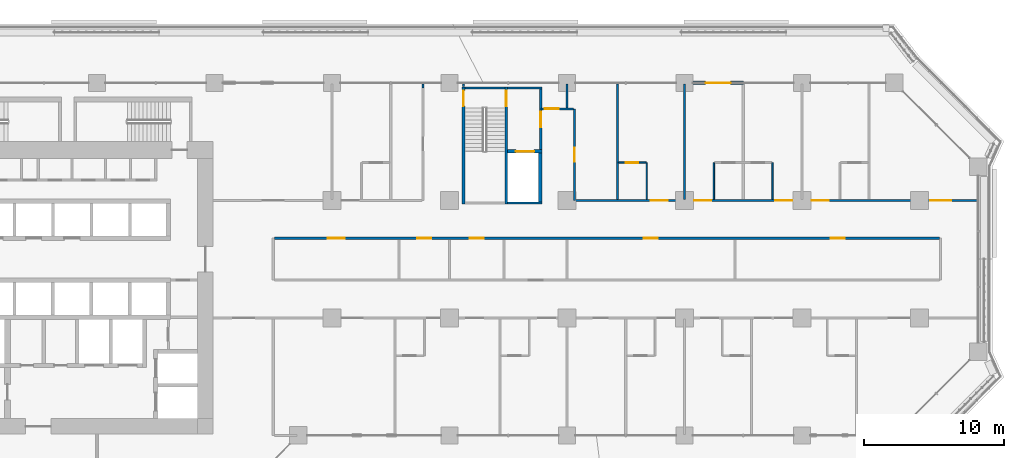
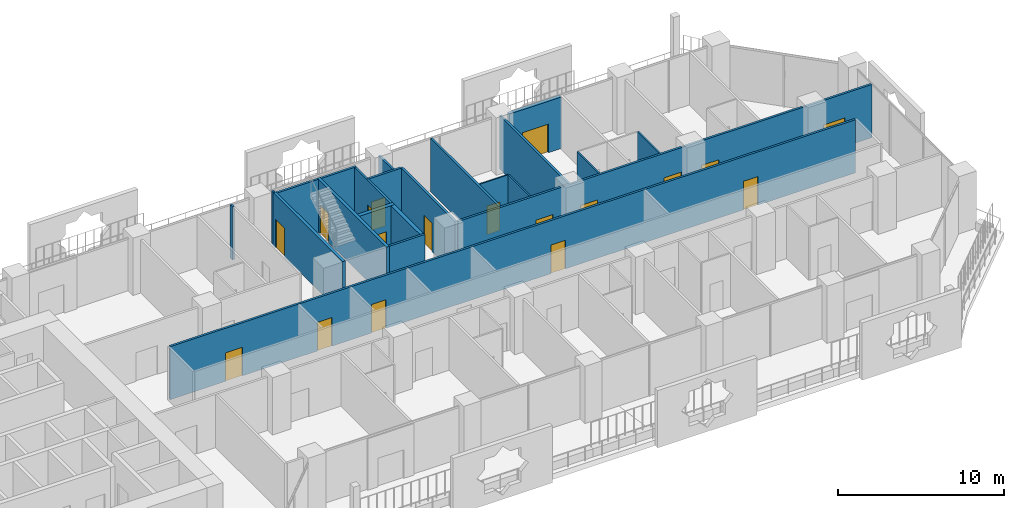
# One storey, part 18 of 28: 22 walls, 18 doors, 18 openings.
"""IFC4 building model written with IfcOpenShell, lengths in metres."""

from ifc_helpers import new_model, si_unit, direction, frame, frame_2d, origin, place, context, subcontext, project, spatial, rectangle, extrude, material, layer, layer_set, type_object, element, fill, save


model = new_model("IFC4")

# Units and contexts
model_context = context("Model", 3, precision=1e-05, world=origin(), true_north=direction((0.0, 1.0)))
body_context = subcontext(model_context, "Body", "Model", "MODEL_VIEW")
ifc_project = project(units=[si_unit("LENGTHUNIT", "METRE"), si_unit("AREAUNIT", "SQUARE_METRE"), si_unit("VOLUMEUNIT", "CUBIC_METRE"), si_unit("PLANEANGLEUNIT", "RADIAN"), si_unit("MASSUNIT", "GRAM", prefix="KILO")], contexts=[model_context])

# Site, building, storey
site_placement = place(None, origin())
site = spatial("IfcSite", under=ifc_project, at=site_placement, CompositionType="ELEMENT")
building_placement = place(site_placement, origin())
building = spatial("IfcBuilding", under=site, at=building_placement, Name="Kawkab Arch Medical Tower", CompositionType="ELEMENT")
storey_placement = place(building_placement, frame((0.0, 0.0, 68.60009765625)))
storey = spatial("IfcBuildingStorey", under=building, at=storey_placement, Name="L15", CompositionType="ELEMENT", Elevation=68.60009765625)

# Wall, opening, door
ifc_material_1 = material(Name="Gypsum board on steel studs", Category="steel")
ifc_layer_1 = layer(ifc_material_1, 0.14990234375)
ifc_layer_set_1 = layer_set([ifc_layer_1], Name="Gypsum board on steel studs")
wall_type_1 = type_object("IfcWallType", Name="Core room partition 150", PredefinedType="PARTITIONING", material=ifc_layer_set_1)
wall_1_placement = place(storey_placement, frame((48.52490234375, -4.77490234375, 0.0), z_axis=(0.0, 0.0, 1.0), x_axis=(0.0, 1.0, 0.0)))
wall_1 = element("IfcWall", 1, at=wall_1_placement, inside=storey, type_object=wall_type_1, Name="L15 core room partition", PredefinedType="PARTITIONING", context=body_context, shape_type="SweptSolid", body=[
    extrude(rectangle(XDim=4.324951171875, YDim=0.14990234375, at=frame_2d((2.16259765625, 0.0))), origin(), (0.0, 0.0, 1.0), 3.89990234375),
])
opening_1_placement = place(wall_1_placement, frame((1.625, 0.0, 0.0)))
opening_1 = element("IfcOpeningElement", 2, at=opening_1_placement, cuts=wall_1, Name="Opening FD", PredefinedType="OPENING", context=body_context, shape_type="SweptSolid", body=[
    extrude(rectangle(XDim=1.10009765625, YDim=2.10009765625, at=frame_2d((0.550048828125, 1.050048828125))), frame((0.0, 0.0849609375, 0.0), z_axis=(0.0, -1.0, 0.0), x_axis=(1.0, 0.0, 0.0)), (0.0, 0.0, 1.0), 0.169921875),
])
ifc_material_2 = material(Name="Hollow metal fire door leaf")
door_type_1 = type_object("IfcDoorType", Name="Firefighting lobby door 1100", OperationType="SINGLE_SWING_LEFT", PredefinedType="DOOR", material=ifc_material_2)
door_1_placement = place(opening_1_placement, origin())
door_1 = element("IfcDoor", 3, at=door_1_placement, inside=storey, type_object=door_type_1, Name="L15 Service lift lobby door SV1", OperationType="SINGLE_SWING_LEFT", OverallHeight=2.10009765625, OverallWidth=1.10009765625, PredefinedType="DOOR", context=body_context, shape_type="SweptSolid", body=[
    extrude(rectangle(XDim=1.10009765625, YDim=2.10009765625, at=frame_2d((0.550048828125, 1.050048828125))), frame((0.0, 0.02490234375, 0.0), z_axis=(0.0, -1.0, 0.0), x_axis=(1.0, 0.0, 0.0)), (0.0, 0.0, 1.0), 0.050048828125),
])
fill(opening_1, door_1)

ifc_material_3 = material(Name="Concrete C60/75", Category="concrete")
ifc_layer_2 = layer(ifc_material_3, 0.25)
ifc_layer_set_2 = layer_set([ifc_layer_2], Name="Concrete C60/75")
wall_type_2 = type_object("IfcWallType", Name="Core shear wall 250 C60/75", PredefinedType="SHEAR", material=ifc_layer_set_2)
wall_2_placement = place(storey_placement, frame((46.14990234375, -4.89990234375, 0.0), z_axis=(0.0, 0.0, 1.0), x_axis=(1.0, 0.0, 0.0)))
wall_2 = element("IfcWall", 4, at=wall_2_placement, inside=storey, type_object=wall_type_2, Name="L15 core shear wall", PredefinedType="SHEAR", context=body_context, shape_type="SweptSolid", body=[
    extrude(rectangle(XDim=2.4501953125, YDim=0.25, at=frame_2d((1.22509765625, 0.0))), origin(), (0.0, 0.0, 1.0), 3.89990234375),
])
opening_2_placement = place(wall_2_placement, frame((0.60009765625, 0.0, 0.0)))
opening_2 = element("IfcOpeningElement", 5, at=opening_2_placement, cuts=wall_2, Name="Opening LD2", PredefinedType="OPENING", context=body_context, shape_type="SweptSolid", body=[
    extrude(rectangle(XDim=1.300048828125, YDim=2.10009765625, at=frame_2d((0.64990234375, 1.050048828125))), frame((0.0, 0.135009765625, 0.0), z_axis=(0.0, -1.0, 0.0), x_axis=(1.0, 0.0, 0.0)), (0.0, 0.0, 1.0), 0.27001953125),
])
ifc_material_4 = material(Name="Stainless steel lift door leaf", Category="steel")
door_type_2 = type_object("IfcDoorType", Name="Lift landing door 1300", OperationType="DOUBLE_DOOR_SLIDING", PredefinedType="DOOR", material=ifc_material_4)
door_2_placement = place(opening_2_placement, origin())
door_2 = element("IfcDoor", 6, at=door_2_placement, inside=storey, type_object=door_type_2, Name="L15 Lift landing door SV1", OperationType="DOUBLE_DOOR_SLIDING", OverallHeight=2.10009765625, OverallWidth=1.300048828125, PredefinedType="DOOR", context=body_context, shape_type="SweptSolid", body=[
    extrude(rectangle(XDim=1.300048828125, YDim=2.10009765625, at=frame_2d((0.64990234375, 1.050048828125))), frame((0.0, 0.02490234375, 0.0), z_axis=(0.0, -1.0, 0.0), x_axis=(1.0, 0.0, 0.0)), (0.0, 0.0, 1.0), 0.050048828125),
])
fill(opening_2, door_2)

# Wall
wall_3_placement = place(storey_placement, frame((48.47509765625, -8.5, 0.0), z_axis=(0.0, 0.0, 1.0), x_axis=(0.0, 1.0, 0.0)))
element("IfcWall", 7, at=wall_3_placement, inside=storey, type_object=wall_type_2, Name="L15 core shear wall", PredefinedType="SHEAR", context=body_context, shape_type="SweptSolid", body=[
    extrude(rectangle(XDim=3.47509765625, YDim=0.25, at=frame_2d((1.737548828125, 0.0))), origin(), (0.0, 0.0, 1.0), 3.89990234375),
])

# Wall, opening, door
ifc_material_5 = material(Name="Bronze clad insulated wall panel")
ifc_layer_3 = layer(ifc_material_5, 0.25)
ifc_layer_set_3 = layer_set([ifc_layer_3], Name="Bronze clad insulated wall panel")
wall_type_3 = type_object("IfcWallType", Name="External wall bay 250", PredefinedType="SOLIDWALL", material=ifc_layer_set_3)
wall_4_placement = place(storey_placement, frame((63.0, 0.0, 0.0), z_axis=(0.0, 0.0, 1.0), x_axis=(-1.0, 0.0, 0.0)))
wall_4 = element("IfcWall", 8, at=wall_4_placement, inside=storey, type_object=wall_type_3, Name="External wall bay L15.R11.2.2", PredefinedType="SOLIDWALL", context=body_context, shape_type="SweptSolid", body=[
    extrude(rectangle(XDim=3.60009765625, YDim=0.25, at=frame_2d((1.800048828125, 0.0))), origin(), (0.0, 0.0, 1.0), 3.77978515625),
])
opening_3_placement = place(wall_4_placement, frame((0.89990234375, 0.0, 0.0)))
opening_3 = element("IfcOpeningElement", 9, at=opening_3_placement, cuts=wall_4, Name="Opening W15A-702", PredefinedType="OPENING", context=body_context, shape_type="SweptSolid", body=[
    extrude(rectangle(XDim=1.800048828125, YDim=2.10009765625, at=frame_2d((0.89990234375, 1.050048828125))), frame((0.0, 0.135009765625, 0.0), z_axis=(0.0, -1.0, 0.0), x_axis=(1.0, 0.0, 0.0)), (0.0, 0.0, 1.0), 0.27001953125),
])
ifc_material_6 = material(Name="Bronze anodised aluminium door with tinted glass", Category="aluminium")
door_type_3 = type_object("IfcDoorType", Name="Double external door 1800 x 2100", OperationType="DOUBLE_DOOR_SINGLE_SWING", PredefinedType="DOOR", material=ifc_material_6)
door_3_placement = place(opening_3_placement, origin())
door_3 = element("IfcDoor", 10, at=door_3_placement, inside=storey, type_object=door_type_3, Name="External door L15.R11.2.2", OperationType="DOUBLE_DOOR_SINGLE_SWING", OverallHeight=2.10009765625, OverallWidth=1.800048828125, PredefinedType="DOOR", context=body_context, shape_type="SweptSolid", body=[
    extrude(rectangle(XDim=1.800048828125, YDim=2.10009765625, at=frame_2d((0.89990234375, 1.050048828125))), frame((0.0, 0.02490234375, 0.0), z_axis=(0.0, -1.0, 0.0), x_axis=(1.0, 0.0, 0.0)), (0.0, 0.0, 1.0), 0.050048828125),
])
fill(opening_3, door_3)

ifc_material_7 = material(Name="Gypsum board partition on steel studs", Category="steel")
ifc_layer_4 = layer(ifc_material_7, 0.10009765625)
ifc_layer_set_4 = layer_set([ifc_layer_4], Name="Gypsum board partition on steel studs")
wall_type_4 = type_object("IfcWallType", Name="Partition 100", PredefinedType="PARTITIONING", material=ifc_layer_set_4)
wall_5_placement = place(storey_placement, frame((54.074951171875, -5.699951171875, 0.0), z_axis=(0.0, 0.0, 1.0), x_axis=(1.0, 0.0, 0.0)))
wall_5 = element("IfcWall", 11, at=wall_5_placement, inside=storey, type_object=wall_type_4, Name="Partition 100 w015", PredefinedType="PARTITIONING", context=body_context, shape_type="SweptSolid", body=[
    extrude(rectangle(XDim=1.97509765625, YDim=0.10009765625, at=frame_2d((0.987548828125, 0.0))), origin(), (0.0, 0.0, 1.0), 3.89990234375),
])
opening_4_placement = place(wall_5_placement, frame((0.52490234375, 0.0, 0.0)))
opening_4 = element("IfcOpeningElement", 12, at=opening_4_placement, cuts=wall_5, Name="Opening W15A-010", PredefinedType="OPENING", context=body_context, shape_type="SweptSolid", body=[
    extrude(rectangle(XDim=0.89990234375, YDim=2.10009765625, at=frame_2d((0.449951171875, 1.050048828125))), frame((0.0, 0.06005859375, 0.0), z_axis=(0.0, -1.0, 0.0), x_axis=(1.0, 0.0, 0.0)), (0.0, 0.0, 1.0), 0.1201171875),
])
ifc_material_8 = material(Name="Timber door leaf", Category="wood")
door_type_4 = type_object("IfcDoorType", Name="Single door 900x2100", OperationType="NOTDEFINED", PredefinedType="DOOR", material=ifc_material_8)
door_4_placement = place(opening_4_placement, origin())
door_4 = element("IfcDoor", 13, at=door_4_placement, inside=storey, type_object=door_type_4, Name="Door W15A-010", OperationType="SINGLE_SWING_RIGHT", OverallHeight=2.10009765625, OverallWidth=0.89990234375, PredefinedType="DOOR", context=body_context, shape_type="SweptSolid", body=[
    extrude(rectangle(XDim=0.89990234375, YDim=2.10009765625, at=frame_2d((0.449951171875, 1.050048828125))), frame((0.0, 0.02490234375, 0.0), z_axis=(0.0, -1.0, 0.0), x_axis=(1.0, 0.0, 0.0)), (0.0, 0.0, 1.0), 0.050048828125),
])
fill(opening_4, door_4)

# Walls
for number, where, z_axis, x_axis, name in (
    (14, (56.10009765625, -8.324951171875, 0.0), (0.0, 0.0, 1.0), (0.0, 1.0, 0.0), "Partition 100 w029"),
    (15, (60.89990234375, -8.324951171875, 0.0), (0.0, 0.0, 1.0), (0.0, 1.0, 0.0), "Partition 100 w031"),
    (16, (65.10009765625, -8.324951171875, 0.0), (0.0, 0.0, 1.0), (0.0, 1.0, 0.0), "Partition 100 w033"),
):
    element("IfcWall", number, at=place(storey_placement, frame(where, z_axis=z_axis, x_axis=x_axis)), inside=storey, type_object=wall_type_4, Name=name, PredefinedType="PARTITIONING", context=body_context, shape_type="SweptSolid", body=[
        extrude(rectangle(XDim=2.625, YDim=0.10009765625, at=frame_2d((1.3125, 0.0))), origin(), (0.0, 0.0, 1.0), 3.89990234375),
    ])

# Wall, openings, doors
ifc_material_9 = material(Name="Gypsum board partition on steel studs, mineral wool", Category="steel")
ifc_layer_5 = layer(ifc_material_9, 0.14990234375)
ifc_layer_set_5 = layer_set([ifc_layer_5], Name="Gypsum board partition on steel studs, mineral wool")
wall_type_5 = type_object("IfcWallType", Name="Partition 150", PredefinedType="PARTITIONING", material=ifc_layer_set_5)
wall_6_placement = place(storey_placement, frame((29.47509765625, -11.10009765625, 0.0), z_axis=(0.0, 0.0, 1.0), x_axis=(1.0, 0.0, 0.0)))
wall_6 = element("IfcWall", 17, at=wall_6_placement, inside=storey, type_object=wall_type_5, Name="Partition 150 w059", PredefinedType="PARTITIONING", context=body_context, shape_type="SweptSolid", body=[
    extrude(rectangle(XDim=47.5498046875, YDim=0.14990234375, at=frame_2d((23.77490234375, 0.0))), origin(), (0.0, 0.0, 1.0), 3.89990234375),
])
opening_5_placement = place(wall_6_placement, frame((3.824951171875, 0.0, 0.0)))
opening_5 = element("IfcOpeningElement", 18, at=opening_5_placement, cuts=wall_6, Name="Opening W15A-050", PredefinedType="OPENING", context=body_context, shape_type="SweptSolid", body=[
    extrude(rectangle(XDim=1.199951171875, YDim=2.10009765625, at=frame_2d((0.60009765625, 1.050048828125))), frame((0.0, 0.0849609375, 0.0), z_axis=(0.0, -1.0, 0.0), x_axis=(1.0, 0.0, 0.0)), (0.0, 0.0, 1.0), 0.169921875),
])
opening_6_placement = place(wall_6_placement, frame((10.22509765625, 0.0, 0.0)))
opening_6 = element("IfcOpeningElement", 19, at=opening_6_placement, cuts=wall_6, Name="Opening W15A-033", PredefinedType="OPENING", context=body_context, shape_type="SweptSolid", body=[
    extrude(rectangle(XDim=1.0, YDim=2.10009765625, at=frame_2d((0.5, 1.050048828125))), frame((0.0, 0.0849609375, 0.0), z_axis=(0.0, -1.0, 0.0), x_axis=(1.0, 0.0, 0.0)), (0.0, 0.0, 1.0), 0.169921875),
])
opening_7_placement = place(wall_6_placement, frame((13.97509765625, 0.0, 0.0)))
opening_7 = element("IfcOpeningElement", 20, at=opening_7_placement, cuts=wall_6, Name="Opening W15A-029", PredefinedType="OPENING", context=body_context, shape_type="SweptSolid", body=[
    extrude(rectangle(XDim=1.0, YDim=2.10009765625, at=frame_2d((0.5, 1.050048828125))), frame((0.0, 0.0849609375, 0.0), z_axis=(0.0, -1.0, 0.0), x_axis=(1.0, 0.0, 0.0)), (0.0, 0.0, 1.0), 0.169921875),
])
opening_8_placement = place(wall_6_placement, frame((26.425048828125, 0.0, 0.0)))
opening_8 = element("IfcOpeningElement", 21, at=opening_8_placement, cuts=wall_6, Name="Opening W15A-035", PredefinedType="OPENING", context=body_context, shape_type="SweptSolid", body=[
    extrude(rectangle(XDim=1.0, YDim=2.10009765625, at=frame_2d((0.5, 1.050048828125))), frame((0.0, 0.0849609375, 0.0), z_axis=(0.0, -1.0, 0.0), x_axis=(1.0, 0.0, 0.0)), (0.0, 0.0, 1.0), 0.169921875),
])
opening_9_placement = place(wall_6_placement, frame((39.77490234375, 0.0, 0.0)))
opening_9 = element("IfcOpeningElement", 22, at=opening_9_placement, cuts=wall_6, Name="Opening W15A-036", PredefinedType="OPENING", context=body_context, shape_type="SweptSolid", body=[
    extrude(rectangle(XDim=1.0, YDim=2.10009765625, at=frame_2d((0.5, 1.050048828125))), frame((0.0, 0.0849609375, 0.0), z_axis=(0.0, -1.0, 0.0), x_axis=(1.0, 0.0, 0.0)), (0.0, 0.0, 1.0), 0.169921875),
])
ifc_material_10 = material(Name="Timber door leaf", Category="wood")
door_type_5 = type_object("IfcDoorType", Name="Single door 1000x2100", OperationType="NOTDEFINED", PredefinedType="DOOR", material=ifc_material_10)
door_5_placement = place(opening_7_placement, origin())
door_5 = element("IfcDoor", 23, at=door_5_placement, inside=storey, type_object=door_type_5, Name="Door W15A-029", OperationType="SINGLE_SWING_RIGHT", OverallHeight=2.10009765625, OverallWidth=1.0, PredefinedType="DOOR", context=body_context, shape_type="SweptSolid", body=[
    extrude(rectangle(XDim=1.0, YDim=2.10009765625, at=frame_2d((0.5, 1.050048828125))), frame((0.0, 0.02490234375, 0.0), z_axis=(0.0, -1.0, 0.0), x_axis=(1.0, 0.0, 0.0)), (0.0, 0.0, 1.0), 0.050048828125),
])
fill(opening_7, door_5)
ifc_material_11 = material(Name="Hollow metal door leaf")
door_type_6 = type_object("IfcDoorType", Name="Single door 1000x2100 FD30S", OperationType="NOTDEFINED", PredefinedType="DOOR", material=ifc_material_11)
door_6_placement = place(opening_6_placement, origin())
door_6 = element("IfcDoor", 24, at=door_6_placement, inside=storey, type_object=door_type_6, Name="Door W15A-033", OperationType="SINGLE_SWING_RIGHT", OverallHeight=2.10009765625, OverallWidth=1.0, PredefinedType="DOOR", context=body_context, shape_type="SweptSolid", body=[
    extrude(rectangle(XDim=1.0, YDim=2.10009765625, at=frame_2d((0.5, 1.050048828125))), frame((0.0, 0.02490234375, 0.0), z_axis=(0.0, -1.0, 0.0), x_axis=(1.0, 0.0, 0.0)), (0.0, 0.0, 1.0), 0.050048828125),
])
fill(opening_6, door_6)
door_7_placement = place(opening_8_placement, origin())
door_7 = element("IfcDoor", 25, at=door_7_placement, inside=storey, type_object=door_type_6, Name="Door W15A-035", OperationType="SINGLE_SWING_LEFT", OverallHeight=2.10009765625, OverallWidth=1.0, PredefinedType="DOOR", context=body_context, shape_type="SweptSolid", body=[
    extrude(rectangle(XDim=1.0, YDim=2.10009765625, at=frame_2d((0.5, 1.050048828125))), frame((0.0, 0.02490234375, 0.0), z_axis=(0.0, -1.0, 0.0), x_axis=(1.0, 0.0, 0.0)), (0.0, 0.0, 1.0), 0.050048828125),
])
fill(opening_8, door_7)
door_8_placement = place(opening_9_placement, origin())
door_8 = element("IfcDoor", 26, at=door_8_placement, inside=storey, type_object=door_type_6, Name="Door W15A-036", OperationType="SINGLE_SWING_LEFT", OverallHeight=2.10009765625, OverallWidth=1.0, PredefinedType="DOOR", context=body_context, shape_type="SweptSolid", body=[
    extrude(rectangle(XDim=1.0, YDim=2.10009765625, at=frame_2d((0.5, 1.050048828125))), frame((0.0, 0.02490234375, 0.0), z_axis=(0.0, -1.0, 0.0), x_axis=(1.0, 0.0, 0.0)), (0.0, 0.0, 1.0), 0.050048828125),
])
fill(opening_9, door_8)
ifc_material_12 = material(Name="Hollow metal door leaf")
door_type_7 = type_object("IfcDoorType", Name="Single door 1200x2100 FD30S", OperationType="NOTDEFINED", PredefinedType="DOOR", material=ifc_material_12)
door_9_placement = place(opening_5_placement, origin())
door_9 = element("IfcDoor", 27, at=door_9_placement, inside=storey, type_object=door_type_7, Name="Door W15A-050", OperationType="SINGLE_SWING_RIGHT", OverallHeight=2.10009765625, OverallWidth=1.199951171875, PredefinedType="DOOR", context=body_context, shape_type="SweptSolid", body=[
    extrude(rectangle(XDim=1.199951171875, YDim=2.10009765625, at=frame_2d((0.60009765625, 1.050048828125))), frame((0.0, 0.02490234375, 0.0), z_axis=(0.0, -1.0, 0.0), x_axis=(1.0, 0.0, 0.0)), (0.0, 0.0, 1.0), 0.050048828125),
])
fill(opening_5, door_9)

wall_7_placement = place(storey_placement, frame((51.0, -8.39990234375, 0.0), z_axis=(0.0, 0.0, 1.0), x_axis=(1.0, 0.0, 0.0)))
wall_7 = element("IfcWall", 28, at=wall_7_placement, inside=storey, type_object=wall_type_5, Name="Partition 150 w062", PredefinedType="PARTITIONING", context=body_context, shape_type="SweptSolid", body=[
    extrude(rectangle(XDim=28.719970703125, YDim=0.14990234375, at=frame_2d((14.35986328125, 0.0))), origin(), (0.0, 0.0, 1.0), 3.89990234375),
])
opening_10_placement = place(wall_7_placement, frame((5.39990234375, 0.0, 0.0)))
opening_10 = element("IfcOpeningElement", 29, at=opening_10_placement, cuts=wall_7, Name="Opening W15A-046", PredefinedType="OPENING", context=body_context, shape_type="SweptSolid", body=[
    extrude(rectangle(XDim=1.199951171875, YDim=2.10009765625, at=frame_2d((0.60009765625, 1.050048828125))), frame((0.0, 0.0849609375, 0.0), z_axis=(0.0, -1.0, 0.0), x_axis=(1.0, 0.0, 0.0)), (0.0, 0.0, 1.0), 0.169921875),
])
opening_11_placement = place(wall_7_placement, frame((8.5, 0.0, 0.0)))
opening_11 = element("IfcOpeningElement", 30, at=opening_11_placement, cuts=wall_7, Name="Opening W15A-047", PredefinedType="OPENING", context=body_context, shape_type="SweptSolid", body=[
    extrude(rectangle(XDim=1.199951171875, YDim=2.10009765625, at=frame_2d((0.60009765625, 1.050048828125))), frame((0.0, 0.0849609375, 0.0), z_axis=(0.0, -1.0, 0.0), x_axis=(1.0, 0.0, 0.0)), (0.0, 0.0, 1.0), 0.169921875),
])
opening_12_placement = place(wall_7_placement, frame((14.300048828125, 0.0, 0.0)))
opening_12 = element("IfcOpeningElement", 31, at=opening_12_placement, cuts=wall_7, Name="Opening W15A-048", PredefinedType="OPENING", context=body_context, shape_type="SweptSolid", body=[
    extrude(rectangle(XDim=1.199951171875, YDim=2.10009765625, at=frame_2d((0.60009765625, 1.050048828125))), frame((0.0, 0.0849609375, 0.0), z_axis=(0.0, -1.0, 0.0), x_axis=(1.0, 0.0, 0.0)), (0.0, 0.0, 1.0), 0.169921875),
])
opening_13_placement = place(wall_7_placement, frame((16.89990234375, 0.0, 0.0)))
opening_13 = element("IfcOpeningElement", 32, at=opening_13_placement, cuts=wall_7, Name="Opening W15A-049", PredefinedType="OPENING", context=body_context, shape_type="SweptSolid", body=[
    extrude(rectangle(XDim=1.199951171875, YDim=2.10009765625, at=frame_2d((0.60009765625, 1.050048828125))), frame((0.0, 0.0849609375, 0.0), z_axis=(0.0, -1.0, 0.0), x_axis=(1.0, 0.0, 0.0)), (0.0, 0.0, 1.0), 0.169921875),
])
opening_14_placement = place(wall_7_placement, frame((25.35009765625, 0.0, 0.0)))
opening_14 = element("IfcOpeningElement", 33, at=opening_14_placement, cuts=wall_7, Name="Opening W15A-003", PredefinedType="OPENING", context=body_context, shape_type="SweptSolid", body=[
    extrude(rectangle(XDim=1.5, YDim=2.10009765625, at=frame_2d((0.75, 1.050048828125))), frame((0.0, 0.0849609375, 0.0), z_axis=(0.0, -1.0, 0.0), x_axis=(1.0, 0.0, 0.0)), (0.0, 0.0, 1.0), 0.169921875),
])
ifc_material_13 = material(Name="Hollow metal door leaf")
door_type_8 = type_object("IfcDoorType", Name="Double door 1500x2100 FD30S", OperationType="NOTDEFINED", PredefinedType="DOOR", material=ifc_material_13)
door_10_placement = place(opening_14_placement, origin())
door_10 = element("IfcDoor", 34, at=door_10_placement, inside=storey, type_object=door_type_8, Name="Door W15A-003", OperationType="DOUBLE_DOOR_SINGLE_SWING", OverallHeight=2.10009765625, OverallWidth=1.5, PredefinedType="DOOR", context=body_context, shape_type="SweptSolid", body=[
    extrude(rectangle(XDim=1.5, YDim=2.10009765625, at=frame_2d((0.75, 1.050048828125))), frame((0.0, 0.02490234375, 0.0), z_axis=(0.0, -1.0, 0.0), x_axis=(1.0, 0.0, 0.0)), (0.0, 0.0, 1.0), 0.050048828125),
])
fill(opening_14, door_10)
door_11_placement = place(opening_10_placement, origin())
door_11 = element("IfcDoor", 35, at=door_11_placement, inside=storey, type_object=door_type_7, Name="Door W15A-046", OperationType="SINGLE_SWING_LEFT", OverallHeight=2.10009765625, OverallWidth=1.199951171875, PredefinedType="DOOR", context=body_context, shape_type="SweptSolid", body=[
    extrude(rectangle(XDim=1.199951171875, YDim=2.10009765625, at=frame_2d((0.60009765625, 1.050048828125))), frame((0.0, 0.02490234375, 0.0), z_axis=(0.0, -1.0, 0.0), x_axis=(1.0, 0.0, 0.0)), (0.0, 0.0, 1.0), 0.050048828125),
])
fill(opening_10, door_11)
door_12_placement = place(opening_11_placement, origin())
door_12 = element("IfcDoor", 36, at=door_12_placement, inside=storey, type_object=door_type_7, Name="Door W15A-047", OperationType="SINGLE_SWING_LEFT", OverallHeight=2.10009765625, OverallWidth=1.199951171875, PredefinedType="DOOR", context=body_context, shape_type="SweptSolid", body=[
    extrude(rectangle(XDim=1.199951171875, YDim=2.10009765625, at=frame_2d((0.60009765625, 1.050048828125))), frame((0.0, 0.02490234375, 0.0), z_axis=(0.0, -1.0, 0.0), x_axis=(1.0, 0.0, 0.0)), (0.0, 0.0, 1.0), 0.050048828125),
])
fill(opening_11, door_12)
door_13_placement = place(opening_12_placement, origin())
door_13 = element("IfcDoor", 37, at=door_13_placement, inside=storey, type_object=door_type_7, Name="Door W15A-048", OperationType="SINGLE_SWING_RIGHT", OverallHeight=2.10009765625, OverallWidth=1.199951171875, PredefinedType="DOOR", context=body_context, shape_type="SweptSolid", body=[
    extrude(rectangle(XDim=1.199951171875, YDim=2.10009765625, at=frame_2d((0.60009765625, 1.050048828125))), frame((0.0, 0.02490234375, 0.0), z_axis=(0.0, -1.0, 0.0), x_axis=(1.0, 0.0, 0.0)), (0.0, 0.0, 1.0), 0.050048828125),
])
fill(opening_12, door_13)
door_14_placement = place(opening_13_placement, origin())
door_14 = element("IfcDoor", 38, at=door_14_placement, inside=storey, type_object=door_type_7, Name="Door W15A-049", OperationType="SINGLE_SWING_RIGHT", OverallHeight=2.10009765625, OverallWidth=1.199951171875, PredefinedType="DOOR", context=body_context, shape_type="SweptSolid", body=[
    extrude(rectangle(XDim=1.199951171875, YDim=2.10009765625, at=frame_2d((0.60009765625, 1.050048828125))), frame((0.0, 0.02490234375, 0.0), z_axis=(0.0, -1.0, 0.0), x_axis=(1.0, 0.0, 0.0)), (0.0, 0.0, 1.0), 0.050048828125),
])
fill(opening_13, door_14)

# Wall, opening, door
wall_8_placement = place(storey_placement, frame((48.550048828125, -1.85009765625, 0.0), z_axis=(0.0, 0.0, 1.0), x_axis=(1.0, 0.0, 0.0)))
wall_8 = element("IfcWall", 39, at=wall_8_placement, inside=storey, type_object=wall_type_5, Name="Partition 150 w063", PredefinedType="PARTITIONING", context=body_context, shape_type="SweptSolid", body=[
    extrude(rectangle(XDim=2.2978515625, YDim=0.14990234375, at=frame_2d((1.14892578125, 0.0))), origin(), (0.0, 0.0, 1.0), 3.89990234375),
])
opening_15_placement = place(wall_8_placement, frame((0.25, 0.0, 0.0)))
opening_15 = element("IfcOpeningElement", 40, at=opening_15_placement, cuts=wall_8, Name="Opening W15A-031", PredefinedType="OPENING", context=body_context, shape_type="SweptSolid", body=[
    extrude(rectangle(XDim=1.0, YDim=2.10009765625, at=frame_2d((0.5, 1.050048828125))), frame((0.0, 0.0849609375, 0.0), z_axis=(0.0, -1.0, 0.0), x_axis=(1.0, 0.0, 0.0)), (0.0, 0.0, 1.0), 0.169921875),
])
door_15_placement = place(opening_15_placement, origin())
door_15 = element("IfcDoor", 41, at=door_15_placement, inside=storey, type_object=door_type_6, Name="Door W15A-031", OperationType="SINGLE_SWING_LEFT", OverallHeight=2.10009765625, OverallWidth=1.0, PredefinedType="DOOR", context=body_context, shape_type="SweptSolid", body=[
    extrude(rectangle(XDim=1.0, YDim=2.10009765625, at=frame_2d((0.5, 1.050048828125))), frame((0.0, 0.02490234375, 0.0), z_axis=(0.0, -1.0, 0.0), x_axis=(1.0, 0.0, 0.0)), (0.0, 0.0, 1.0), 0.050048828125),
])
fill(opening_15, door_15)

# Walls
wall_9_placement = place(storey_placement, frame((40.10693359375, -0.35009765625, 0.0), z_axis=(0.0, 0.0, 1.0), x_axis=(0.0, 1.0, 0.0)))
element("IfcWall", 42, at=wall_9_placement, inside=storey, type_object=wall_type_5, Name="Partition 150 w081", PredefinedType="PARTITIONING", context=body_context, shape_type="SweptSolid", body=[
    extrude(rectangle(XDim=0.27001953125, YDim=0.14990234375, at=frame_2d((0.135009765625, 0.0))), origin(), (0.0, 0.0, 1.0), 3.89990234375),
])
wall_10_placement = place(storey_placement, frame((43.0, -0.27001953125, 0.0), z_axis=(0.0, 0.0, 1.0), x_axis=(0.0, 1.0, 0.0)))
element("IfcWall", 43, at=wall_10_placement, inside=storey, type_object=wall_type_5, Name="Partition 150 w083", PredefinedType="PARTITIONING", context=body_context, shape_type="SweptSolid", body=[
    extrude(rectangle(XDim=0.18994140625, YDim=0.14990234375, at=frame_2d((0.094970703125, 0.0))), origin(), (0.0, 0.0, 1.0), 3.89990234375),
])
wall_11_placement = place(storey_placement, frame((50.39990234375, -1.77490234375, 0.0), z_axis=(0.0, 0.0, 1.0), x_axis=(0.0, 1.0, 0.0)))
element("IfcWall", 44, at=wall_11_placement, inside=storey, type_object=wall_type_5, Name="Partition 150 w088", PredefinedType="PARTITIONING", context=body_context, shape_type="SweptSolid", body=[
    extrude(rectangle(XDim=1.69482421875, YDim=0.14990234375, at=frame_2d((0.847412109375, 0.0))), origin(), (0.0, 0.0, 1.0), 3.89990234375),
])

# Wall, opening, door
wall_12_placement = place(storey_placement, frame((50.925048828125, -8.39990234375, 0.0), z_axis=(0.0, 0.0, 1.0), x_axis=(0.0, 1.0, 0.0)))
wall_12 = element("IfcWall", 45, at=wall_12_placement, inside=storey, type_object=wall_type_5, Name="Partition 150 w089", PredefinedType="PARTITIONING", context=body_context, shape_type="SweptSolid", body=[
    extrude(rectangle(XDim=6.5478515625, YDim=0.14990234375, at=frame_2d((3.27392578125, 0.0))), origin(), (0.0, 0.0, 1.0), 3.89990234375),
])
opening_16_placement = place(wall_12_placement, frame((2.77392578125, 0.0, 0.0)))
opening_16 = element("IfcOpeningElement", 46, at=opening_16_placement, cuts=wall_12, Name="Opening W15A-032", PredefinedType="OPENING", context=body_context, shape_type="SweptSolid", body=[
    extrude(rectangle(XDim=1.0, YDim=2.10009765625, at=frame_2d((0.5, 1.050048828125))), frame((0.0, 0.0849609375, 0.0), z_axis=(0.0, -1.0, 0.0), x_axis=(1.0, 0.0, 0.0)), (0.0, 0.0, 1.0), 0.169921875),
])
door_16_placement = place(opening_16_placement, origin())
door_16 = element("IfcDoor", 47, at=door_16_placement, inside=storey, type_object=door_type_6, Name="Door W15A-032", OperationType="SINGLE_SWING_LEFT", OverallHeight=2.10009765625, OverallWidth=1.0, PredefinedType="DOOR", context=body_context, shape_type="SweptSolid", body=[
    extrude(rectangle(XDim=1.0, YDim=2.10009765625, at=frame_2d((0.5, 1.050048828125))), frame((0.0, 0.02490234375, 0.0), z_axis=(0.0, -1.0, 0.0), x_axis=(1.0, 0.0, 0.0)), (0.0, 0.0, 1.0), 0.050048828125),
])
fill(opening_16, door_16)

# Walls
for number, where, z_axis, x_axis, name in (
    (48, (54.0, -8.324951171875, 0.0), (0.0, 0.0, 1.0), (0.0, 1.0, 0.0), "Partition 150 w090"),
    (49, (58.800048828125, -8.324951171875, 0.0), (0.0, 0.0, 1.0), (0.0, 1.0, 0.0), "Partition 150 w093"),
):
    element("IfcWall", number, at=place(storey_placement, frame(where, z_axis=z_axis, x_axis=x_axis)), inside=storey, type_object=wall_type_5, Name=name, PredefinedType="PARTITIONING", context=body_context, shape_type="SweptSolid", body=[
        extrude(rectangle(XDim=8.244873046875, YDim=0.14990234375, at=frame_2d((4.12255859375, 0.0))), origin(), (0.0, 0.0, 1.0), 3.89990234375),
    ])
ifc_material_14 = material(Name="Concrete C50/60", Category="concrete")
ifc_layer_6 = layer(ifc_material_14, 0.14990234375)
ifc_layer_set_6 = layer_set([ifc_layer_6], Name="Concrete C50/60")
wall_type_6 = type_object("IfcWallType", Name="Stair enclosure wall 150 C50/60", PredefinedType="SHEAR", material=ifc_layer_set_6)
wall_13_placement = place(storey_placement, frame((43.10009765625, -0.375, 0.0), z_axis=(0.0, 0.0, 1.0), x_axis=(1.0, 0.0, 0.0)))
element("IfcWall", 50, at=wall_13_placement, inside=storey, type_object=wall_type_6, Name="L15 stair enclosure wall", PredefinedType="SHEAR", context=body_context, shape_type="SweptSolid", body=[
    extrude(rectangle(XDim=2.849853515625, YDim=0.14990234375, at=frame_2d((1.4248046875, 0.0))), origin(), (0.0, 0.0, 1.0), 3.89990234375),
])
for number, where, z_axis, x_axis, name in (
    (51, (46.14990234375, -0.375, 0.0), (0.0, 0.0, 1.0), (1.0, 0.0, 0.0), "L15 stair enclosure wall"),
    (52, (46.14990234375, -8.574951171875, 0.0), (0.0, 0.0, 1.0), (1.0, 0.0, 0.0), "L15 stair enclosure wall"),
):
    element("IfcWall", number, at=place(storey_placement, frame(where, z_axis=z_axis, x_axis=x_axis)), inside=storey, type_object=wall_type_6, Name=name, PredefinedType="SHEAR", context=body_context, shape_type="SweptSolid", body=[
        extrude(rectangle(XDim=2.4501953125, YDim=0.14990234375, at=frame_2d((1.22509765625, 0.0))), origin(), (0.0, 0.0, 1.0), 3.89990234375),
    ])

# Wall, opening, door
ifc_material_15 = material(Name="Concrete C50/60", Category="concrete")
ifc_layer_7 = layer(ifc_material_15, 0.199951171875)
ifc_layer_set_7 = layer_set([ifc_layer_7], Name="Concrete C50/60")
wall_type_7 = type_object("IfcWallType", Name="Stair enclosure wall 200 C50/60", PredefinedType="SHEAR", material=ifc_layer_set_7)
wall_14_placement = place(storey_placement, frame((43.0, -8.64990234375, 0.0), z_axis=(0.0, 0.0, 1.0), x_axis=(0.0, 1.0, 0.0)))
wall_14 = element("IfcWall", 53, at=wall_14_placement, inside=storey, type_object=wall_type_7, Name="L15 stair enclosure wall", PredefinedType="SHEAR", context=body_context, shape_type="SweptSolid", body=[
    extrude(rectangle(XDim=8.349853515625, YDim=0.199951171875, at=frame_2d((4.1748046875, 0.0))), origin(), (0.0, 0.0, 1.0), 3.89990234375),
])
opening_17_placement = place(wall_14_placement, frame((7.0, 0.0, 0.0)))
opening_17 = element("IfcOpeningElement", 54, at=opening_17_placement, cuts=wall_14, Name="Opening SD", PredefinedType="OPENING", context=body_context, shape_type="SweptSolid", body=[
    extrude(rectangle(XDim=1.10009765625, YDim=2.10009765625, at=frame_2d((0.550048828125, 1.050048828125))), frame((0.0, 0.10986328125, 0.0), z_axis=(0.0, -1.0, 0.0), x_axis=(1.0, 0.0, 0.0)), (0.0, 0.0, 1.0), 0.219970703125),
])
ifc_material_16 = material(Name="Hollow metal fire door leaf")
door_type_9 = type_object("IfcDoorType", Name="Exit stair door 1100", OperationType="SINGLE_SWING_LEFT", PredefinedType="DOOR", material=ifc_material_16)
door_17_placement = place(opening_17_placement, frame((1.10009765625, 0.0, 0.0), z_axis=(0.0, 0.0, 1.0), x_axis=(-1.0, 0.0, 0.0)))
door_17 = element("IfcDoor", 55, at=door_17_placement, inside=storey, type_object=door_type_9, Name="L15 Exit stair ST5 door", OperationType="SINGLE_SWING_LEFT", OverallHeight=2.10009765625, OverallWidth=1.10009765625, PredefinedType="DOOR", context=body_context, shape_type="SweptSolid", body=[
    extrude(rectangle(XDim=1.10009765625, YDim=2.10009765625, at=frame_2d((0.550048828125, 1.050048828125))), frame((0.0, 0.02490234375, 0.0), z_axis=(0.0, -1.0, 0.0), x_axis=(1.0, 0.0, 0.0)), (0.0, 0.0, 1.0), 0.050048828125),
])
fill(opening_17, door_17)

wall_15_placement = place(storey_placement, frame((46.050048828125, -8.64990234375, 0.0), z_axis=(0.0, 0.0, 1.0), x_axis=(0.0, 1.0, 0.0)))
wall_15 = element("IfcWall", 56, at=wall_15_placement, inside=storey, type_object=wall_type_7, Name="L15 stair enclosure wall", PredefinedType="SHEAR", context=body_context, shape_type="SweptSolid", body=[
    extrude(rectangle(XDim=8.349853515625, YDim=0.199951171875, at=frame_2d((4.1748046875, 0.0))), origin(), (0.0, 0.0, 1.0), 3.89990234375),
])
opening_18_placement = place(wall_15_placement, frame((7.0, 0.0, 0.0)))
opening_18 = element("IfcOpeningElement", 57, at=opening_18_placement, cuts=wall_15, Name="Opening SD", PredefinedType="OPENING", context=body_context, shape_type="SweptSolid", body=[
    extrude(rectangle(XDim=1.10009765625, YDim=2.10009765625, at=frame_2d((0.550048828125, 1.050048828125))), frame((0.0, 0.10986328125, 0.0), z_axis=(0.0, -1.0, 0.0), x_axis=(1.0, 0.0, 0.0)), (0.0, 0.0, 1.0), 0.219970703125),
])
door_18_placement = place(opening_18_placement, origin())
door_18 = element("IfcDoor", 58, at=door_18_placement, inside=storey, type_object=door_type_9, Name="L15 Exit stair ST5 lobby door", OperationType="SINGLE_SWING_LEFT", OverallHeight=2.10009765625, OverallWidth=1.10009765625, PredefinedType="DOOR", context=body_context, shape_type="SweptSolid", body=[
    extrude(rectangle(XDim=1.10009765625, YDim=2.10009765625, at=frame_2d((0.550048828125, 1.050048828125))), frame((0.0, 0.02490234375, 0.0), z_axis=(0.0, -1.0, 0.0), x_axis=(1.0, 0.0, 0.0)), (0.0, 0.0, 1.0), 0.050048828125),
])
fill(opening_18, door_18)

save(model, "model.ifc")
